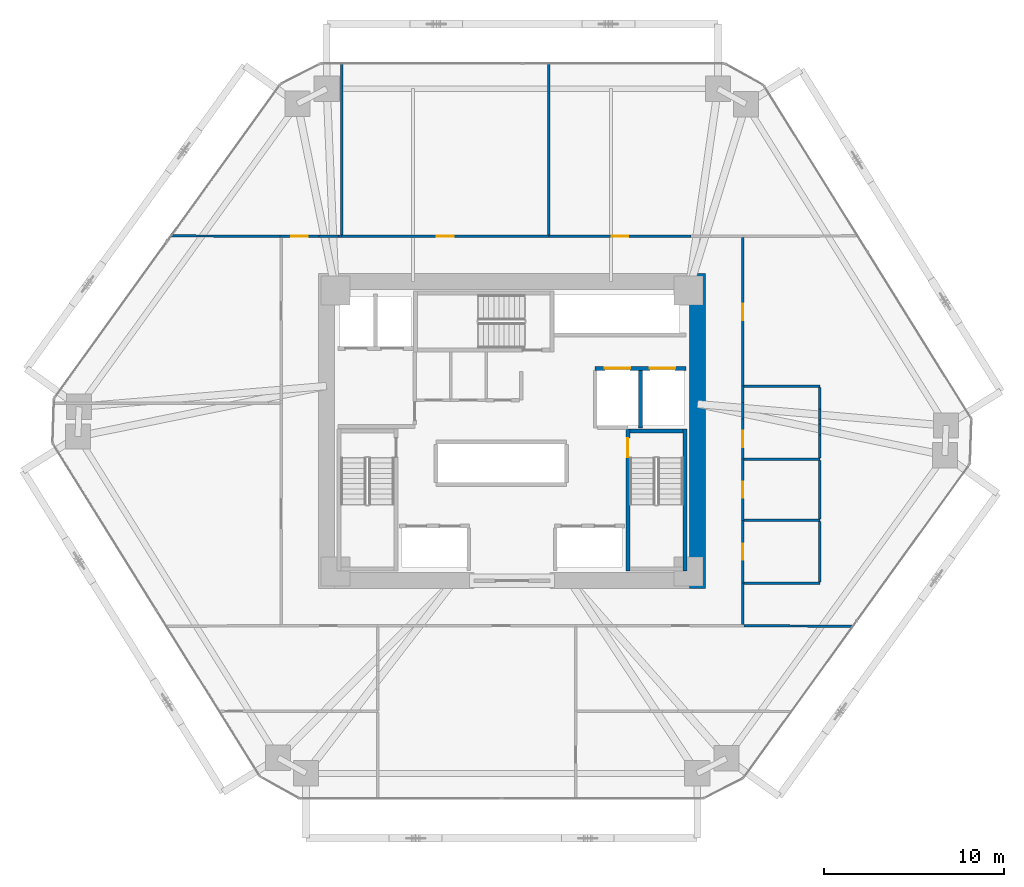
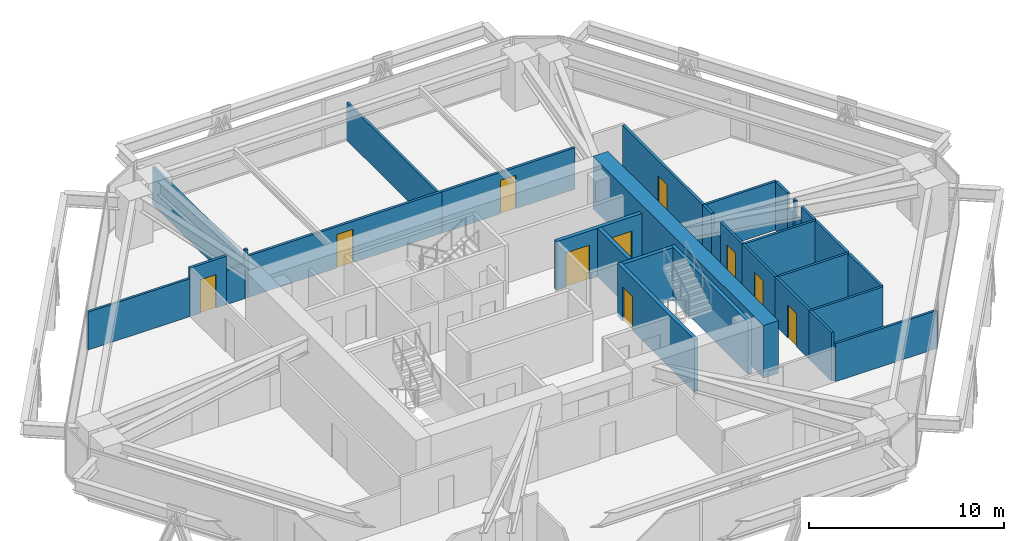
# One storey, part 15 of 17: 33 walls, 10 doors, 10 openings.
"""IFC4 building model written with IfcOpenShell, lengths in metres."""

from ifc_helpers import new_model, si_unit, direction, frame, frame_2d, origin, place, context, subcontext, project, spatial, rectangle, extrude, source, transform, mapped, material, layer, layer_set, type_object, type_shapes, element, fill, save


model = new_model("IFC4")

# Units and contexts
model_context = context("Model", 3, precision=1e-05, world=origin(), true_north=direction((0.0, 1.0)))
body_context = subcontext(model_context, "Body", "Model", "MODEL_VIEW")
ifc_project = project(units=[si_unit("LENGTHUNIT", "METRE"), si_unit("AREAUNIT", "SQUARE_METRE"), si_unit("VOLUMEUNIT", "CUBIC_METRE"), si_unit("PLANEANGLEUNIT", "RADIAN"), si_unit("MASSUNIT", "GRAM", prefix="KILO")], contexts=[model_context])

# Site, building, storey
site_placement = place(None, origin())
site = spatial("IfcSite", under=ifc_project, at=site_placement, CompositionType="ELEMENT")
building_placement = place(site_placement, origin())
building = spatial("IfcBuilding", under=site, at=building_placement, Name="Durnholm Broadcast Tower", CompositionType="ELEMENT")
storey_placement = place(building_placement, frame((0.0, 0.0, 52.199951171875)))
storey = spatial("IfcBuildingStorey", under=building, at=storey_placement, Name="L12", CompositionType="ELEMENT", Elevation=52.199951171875)

# Walls
ifc_material_1 = material(Name="Concrete C70/85", Category="concrete")
ifc_layer_1 = layer(ifc_material_1, 0.89990234375)
ifc_layer_set_1 = layer_set([ifc_layer_1], Name="Concrete C70/85")
wall_type_1 = type_object("IfcWallType", Name="WALL-CW-900", PredefinedType="SHEAR", material=ifc_layer_set_1)
wall_1_placement = place(storey_placement, frame((10.300048828125, -8.75, 0.0), z_axis=(0.0, 0.0, 1.0), x_axis=(0.0, 1.0, 0.0)))
element("IfcWall", 1, at=wall_1_placement, inside=storey, type_object=wall_type_1, Name="L12 central core shear wall CW-EAST", PredefinedType="SHEAR", context=body_context, shape_type="SweptSolid", body=[
    extrude(rectangle(XDim=17.5, YDim=0.89990234375, at=frame_2d((8.75, 0.0))), origin(), (0.0, 0.0, 1.0), 3.300048828125),
])
ifc_material_2 = material(Name="Gypsum Metal Stud Partition", Category="concrete")
ifc_layer_2 = layer(ifc_material_2, 0.135009765625)
ifc_layer_set_2 = layer_set([ifc_layer_2], Name="Gypsum Metal Stud Partition")
wall_type_2 = type_object("IfcWallType", Name="WALL-PART-135", PredefinedType="PARTITIONING", material=ifc_layer_set_2)
wall_2_placement = place(storey_placement, frame((-9.4599609375, 20.39990234375, 0.0), z_axis=(0.0, 0.0, 1.0), x_axis=(0.0, -1.0, 0.0)))
element("IfcWall", 2, at=wall_2_placement, inside=storey, type_object=wall_type_2, Name="L12 room dividing partition 7.8", PredefinedType="PARTITIONING", context=body_context, shape_type="SweptSolid", body=[
    extrude(rectangle(XDim=9.510986328125, YDim=0.135009765625, at=frame_2d((4.75537109375, 0.0))), origin(), (0.0, 0.0, 1.0), 2.380126953125),
])
wall_3_placement = place(storey_placement, frame((-12.889892578125, 10.810302734375, 0.0), z_axis=(0.0, 0.0, 1.0), x_axis=(-0.999992607823, 0.003845035728, 0.0)))
element("IfcWall", 3, at=wall_3_placement, inside=storey, type_object=wall_type_2, Name="L12 room dividing partition 7.16", PredefinedType="PARTITIONING", context=body_context, shape_type="SweptSolid", body=[
    extrude(rectangle(XDim=6.031982421875, YDim=0.135009765625, at=frame_2d((3.01611328125, 0.0))), origin(), (0.0, 0.0, 1.0), 2.380126953125),
])
wall_4_placement = place(storey_placement, frame((2.0400390625, 20.39990234375, 0.0), z_axis=(0.0, 0.0, 1.0), x_axis=(0.0, -1.0, 0.0)))
element("IfcWall", 4, at=wall_4_placement, inside=storey, type_object=wall_type_2, Name="L12 room dividing partition 8.9", PredefinedType="PARTITIONING", context=body_context, shape_type="SweptSolid", body=[
    extrude(rectangle(XDim=9.510986328125, YDim=0.135009765625, at=frame_2d((4.75537109375, 0.0))), origin(), (0.0, 0.0, 1.0), 2.380126953125),
])
wall_5_placement = place(storey_placement, frame((12.889892578125, -10.810302734375, 0.0), z_axis=(0.0, 0.0, 1.0), x_axis=(0.999992607823, -0.003845035728, 0.0)))
element("IfcWall", 5, at=wall_5_placement, inside=storey, type_object=wall_type_2, Name="L12 room dividing partition 14.17", PredefinedType="PARTITIONING", context=body_context, shape_type="SweptSolid", body=[
    extrude(rectangle(XDim=6.031982421875, YDim=0.135009765625, at=frame_2d((3.01611328125, 0.0))), origin(), (0.0, 0.0, 1.0), 2.380126953125),
])
ifc_material_3 = material(Name="Acoustic Gypsum Stud Partition", Category="concrete")
ifc_layer_3 = layer(ifc_material_3, 0.14990234375)
ifc_layer_set_3 = layer_set([ifc_layer_3], Name="Acoustic Gypsum Stud Partition")
wall_type_3 = type_object("IfcWallType", Name="WALL-PART-150", PredefinedType="PARTITIONING", material=ifc_layer_set_3)
wall_6_placement = place(storey_placement, frame((-9.4599609375, 10.81005859375, 0.0), z_axis=(0.0, 0.0, 1.0), x_axis=(-1.0, 0.0, 0.0)))
element("IfcWall", 6, at=wall_6_placement, inside=storey, type_object=wall_type_3, Name="L12 Open Plan Broadcast Workspace 2 corridor partition", PredefinedType="PARTITIONING", context=body_context, shape_type="SweptSolid", body=[
    extrude(rectangle(XDim=0.16748046875, YDim=0.14990234375, at=frame_2d((0.083740234375, 0.0))), origin(), (0.0, 0.0, 1.0), 3.045166015625),
])

# Wall, opening, door
wall_7_placement = place(storey_placement, frame((-10.719970703125, 10.81005859375, 0.0), z_axis=(0.0, 0.0, 1.0), x_axis=(-1.0, 0.0, 0.0)))
wall_7 = element("IfcWall", 7, at=wall_7_placement, inside=storey, type_object=wall_type_3, Name="L12 Open Plan Broadcast Workspace 2 corridor partition", PredefinedType="PARTITIONING", context=body_context, shape_type="SweptSolid", body=[
    extrude(rectangle(XDim=2.169921875, YDim=0.14990234375, at=frame_2d((1.0849609375, 0.0))), origin(), (0.0, 0.0, 1.0), 3.045166015625),
])
opening_1_placement = place(wall_7_placement, frame((0.625, 0.0, 0.0)))
opening_1 = element("IfcOpeningElement", 8, at=opening_1_placement, cuts=wall_7, Name="Opening DR-92L", PredefinedType="OPENING", context=body_context, shape_type="SweptSolid", body=[
    extrude(rectangle(XDim=0.919921875, YDim=2.10009765625, at=frame_2d((0.4599609375, 1.050048828125))), frame((0.0, 0.0849609375, 0.0), z_axis=(0.0, -1.0, 0.0), x_axis=(1.0, 0.0, 0.0)), (0.0, 0.0, 1.0), 0.169921875),
])
ifc_material_4 = material(Name="Oak Veneer Office Door", Category="wood")
ifc_layer_4 = layer(ifc_material_4, 0.050048828125)
ifc_layer_set_4 = layer_set([ifc_layer_4], Name="Oak Veneer Office Door")
door_type_1 = type_object("IfcDoorType", Name="DOOR-RM-920L", OperationType="NOTDEFINED", PredefinedType="DOOR", material=ifc_layer_set_4)
shared_shape_1 = source(origin(), body_context, "Body", "SweptSolid", [
    extrude(rectangle(XDim=0.919921875, YDim=2.10009765625, at=frame_2d((0.4599609375, 1.050048828125))), frame((0.0, 0.02490234375, 0.0), z_axis=(0.0, -1.0, 0.0), x_axis=(1.0, 0.0, 0.0)), (0.0, 0.0, 1.0), 0.050048828125),
])
type_shapes(door_type_1, [shared_shape_1])
door_1_placement = place(opening_1_placement, origin())
door_1 = element("IfcDoor", 9, at=door_1_placement, inside=storey, type_object=door_type_1, Name="L12 Open Plan Broadcast Workspace 2 entrance door", OperationType="SINGLE_SWING_LEFT", OverallHeight=2.10009765625, OverallWidth=0.919921875, PredefinedType="DOOR", context=body_context, shape_type="MappedRepresentation", body=[
    mapped(shared_shape_1, transform((0.0, 0.0, 0.0), x_axis=(1.0, 0.0, 0.0), y_axis=(0.0, 1.0, 0.0), z_axis=(0.0, 0.0, 1.0), scale=1.0)),
])
fill(opening_1, door_1)

# Wall
wall_8_placement = place(storey_placement, frame((-9.62744140625, 10.81005859375, 0.0), z_axis=(0.0, 0.0, 1.0), x_axis=(-1.0, 0.0, 0.0)))
element("IfcWall", 10, at=wall_8_placement, inside=storey, type_object=wall_type_3, Name="L12 Open Plan Broadcast Workspace 2 corridor partition", PredefinedType="PARTITIONING", context=body_context, shape_type="SweptSolid", body=[
    extrude(rectangle(XDim=1.092529296875, YDim=0.14990234375, at=frame_2d((0.54638671875, 0.0))), origin(), (0.0, 0.0, 1.0), 2.130126953125),
])

# Wall, opening, door
wall_9_placement = place(storey_placement, frame((2.0400390625, 10.81005859375, 0.0), z_axis=(0.0, 0.0, 1.0), x_axis=(-1.0, 0.0, 0.0)))
wall_9 = element("IfcWall", 11, at=wall_9_placement, inside=storey, type_object=wall_type_3, Name="L12 Replay Meeting Room corridor partition", PredefinedType="PARTITIONING", context=body_context, shape_type="SweptSolid", body=[
    extrude(rectangle(XDim=11.5, YDim=0.14990234375, at=frame_2d((5.75, 0.0))), origin(), (0.0, 0.0, 1.0), 2.59765625),
])
opening_2_placement = place(wall_9_placement, frame((5.27490234375, 0.0, 0.0)))
opening_2 = element("IfcOpeningElement", 12, at=opening_2_placement, cuts=wall_9, Name="Opening DR-95R", PredefinedType="OPENING", context=body_context, shape_type="SweptSolid", body=[
    extrude(rectangle(XDim=0.949951171875, YDim=2.10009765625, at=frame_2d((0.47509765625, 1.050048828125))), frame((0.0, 0.0849609375, 0.0), z_axis=(0.0, -1.0, 0.0), x_axis=(1.0, 0.0, 0.0)), (0.0, 0.0, 1.0), 0.169921875),
])
ifc_material_5 = material(Name="Acoustic Oak Veneer Timber Door", Category="wood")
ifc_layer_5 = layer(ifc_material_5, 0.050048828125)
ifc_layer_set_5 = layer_set([ifc_layer_5], Name="Acoustic Oak Veneer Timber Door")
door_type_2 = type_object("IfcDoorType", Name="DOOR-RM-950R", OperationType="NOTDEFINED", PredefinedType="DOOR", material=ifc_layer_set_5)
shared_shape_2 = source(origin(), body_context, "Body", "SweptSolid", [
    extrude(rectangle(XDim=0.949951171875, YDim=2.10009765625, at=frame_2d((0.47509765625, 1.050048828125))), frame((0.0, 0.02490234375, 0.0), z_axis=(0.0, -1.0, 0.0), x_axis=(1.0, 0.0, 0.0)), (0.0, 0.0, 1.0), 0.050048828125),
])
type_shapes(door_type_2, [shared_shape_2])
door_2_placement = place(opening_2_placement, origin())
door_2 = element("IfcDoor", 13, at=door_2_placement, inside=storey, type_object=door_type_2, Name="L12 Replay Meeting Room entrance door", OperationType="SINGLE_SWING_RIGHT", OverallHeight=2.10009765625, OverallWidth=0.949951171875, PredefinedType="DOOR", context=body_context, shape_type="MappedRepresentation", body=[
    mapped(shared_shape_2, transform((0.0, 0.0, 0.0), x_axis=(1.0, 0.0, 0.0), y_axis=(0.0, 1.0, 0.0), z_axis=(0.0, 0.0, 1.0), scale=1.0)),
])
fill(opening_2, door_2)

wall_10_placement = place(storey_placement, frame((9.93310546875, 10.81005859375, 0.0), z_axis=(0.0, 0.0, 1.0), x_axis=(-1.0, 0.0, 0.0)))
wall_10 = element("IfcWall", 14, at=wall_10_placement, inside=storey, type_object=wall_type_3, Name="L12 Open Plan Broadcast Workspace 4 corridor partition", PredefinedType="PARTITIONING", context=body_context, shape_type="SweptSolid", body=[
    extrude(rectangle(XDim=7.89306640625, YDim=0.14990234375, at=frame_2d((3.946533203125, 0.0))), origin(), (0.0, 0.0, 1.0), 2.59765625),
])
opening_3_placement = place(wall_10_placement, frame((3.486572265625, 0.0, 0.0)))
opening_3 = element("IfcOpeningElement", 15, at=opening_3_placement, cuts=wall_10, Name="Opening DR-92L", PredefinedType="OPENING", context=body_context, shape_type="SweptSolid", body=[
    extrude(rectangle(XDim=0.919921875, YDim=2.10009765625, at=frame_2d((0.4599609375, 1.050048828125))), frame((0.0, 0.0849609375, 0.0), z_axis=(0.0, -1.0, 0.0), x_axis=(1.0, 0.0, 0.0)), (0.0, 0.0, 1.0), 0.169921875),
])
door_3_placement = place(opening_3_placement, origin())
door_3 = element("IfcDoor", 16, at=door_3_placement, inside=storey, type_object=door_type_1, Name="L12 Open Plan Broadcast Workspace 4 entrance door", OperationType="SINGLE_SWING_LEFT", OverallHeight=2.10009765625, OverallWidth=0.919921875, PredefinedType="DOOR", context=body_context, shape_type="MappedRepresentation", body=[
    mapped(shared_shape_1, transform((0.0, 0.0, 0.0), x_axis=(1.0, 0.0, 0.0), y_axis=(0.0, 1.0, 0.0), z_axis=(0.0, 0.0, 1.0), scale=1.0)),
])
fill(opening_3, door_3)

wall_11_placement = place(storey_placement, frame((12.81005859375, 2.489990234375, 0.0), z_axis=(0.0, 0.0, 1.0), x_axis=(0.0, 1.0, 0.0)))
wall_11 = element("IfcWall", 17, at=wall_11_placement, inside=storey, type_object=wall_type_3, Name="L12 Production Meeting Room corridor partition", PredefinedType="PARTITIONING", context=body_context, shape_type="SweptSolid", body=[
    extrude(rectangle(XDim=8.240966796875, YDim=0.14990234375, at=frame_2d((4.12060546875, 0.0))), origin(), (0.0, 0.0, 1.0), 3.045166015625),
])
opening_4_placement = place(wall_11_placement, frame((3.660400390625, 0.0, 0.0)))
opening_4 = element("IfcOpeningElement", 18, at=opening_4_placement, cuts=wall_11, Name="Opening DR-92R", PredefinedType="OPENING", context=body_context, shape_type="SweptSolid", body=[
    extrude(rectangle(XDim=0.919921875, YDim=2.10009765625, at=frame_2d((0.4599609375, 1.050048828125))), frame((0.0, 0.0849609375, 0.0), z_axis=(0.0, -1.0, 0.0), x_axis=(1.0, 0.0, 0.0)), (0.0, 0.0, 1.0), 0.169921875),
])
ifc_layer_6 = layer(ifc_material_4, 0.050048828125)
ifc_layer_set_6 = layer_set([ifc_layer_6], Name="Oak Veneer Office Door")
door_type_3 = type_object("IfcDoorType", Name="DOOR-RM-920R", OperationType="NOTDEFINED", PredefinedType="DOOR", material=ifc_layer_set_6)
shared_shape_3 = source(origin(), body_context, "Body", "SweptSolid", [
    extrude(rectangle(XDim=0.919921875, YDim=2.10009765625, at=frame_2d((0.4599609375, 1.050048828125))), frame((0.0, 0.02490234375, 0.0), z_axis=(0.0, -1.0, 0.0), x_axis=(1.0, 0.0, 0.0)), (0.0, 0.0, 1.0), 0.050048828125),
])
type_shapes(door_type_3, [shared_shape_3])
door_4_placement = place(opening_4_placement, origin())
door_4 = element("IfcDoor", 19, at=door_4_placement, inside=storey, type_object=door_type_3, Name="L12 Production Meeting Room entrance door", OperationType="SINGLE_SWING_RIGHT", OverallHeight=2.10009765625, OverallWidth=0.919921875, PredefinedType="DOOR", context=body_context, shape_type="MappedRepresentation", body=[
    mapped(shared_shape_3, transform((0.0, 0.0, 0.0), x_axis=(1.0, 0.0, 0.0), y_axis=(0.0, 1.0, 0.0), z_axis=(0.0, 0.0, 1.0), scale=1.0)),
])
fill(opening_4, door_4)

# Wall
wall_12_placement = place(storey_placement, frame((12.81005859375, -10.73095703125, 0.0), z_axis=(0.0, 0.0, 1.0), x_axis=(0.0, 1.0, 0.0)))
element("IfcWall", 20, at=wall_12_placement, inside=storey, type_object=wall_type_3, Name="L12 Production Meeting Room corridor partition", PredefinedType="PARTITIONING", context=body_context, shape_type="SweptSolid", body=[
    extrude(rectangle(XDim=2.291015625, YDim=0.14990234375, at=frame_2d((1.1455078125, 0.0))), origin(), (0.0, 0.0, 1.0), 3.045166015625),
])

# Wall, openings, doors
ifc_material_6 = material(Name="Concrete Blockwork C30/37", Category="masonry")
ifc_layer_7 = layer(ifc_material_6, 0.219970703125)
ifc_layer_set_7 = layer_set([ifc_layer_7], Name="Concrete Blockwork C30/37")
wall_type_4 = type_object("IfcWallType", Name="WALL-SHAFT-220", PredefinedType="SOLIDWALL", material=ifc_layer_set_7)
wall_13_placement = place(storey_placement, frame((4.60009765625, 3.47998046875, 0.0), z_axis=(0.0, 0.0, 1.0), x_axis=(1.0, 0.0, 0.0)))
wall_13 = element("IfcWall", 21, at=wall_13_placement, inside=storey, type_object=wall_type_4, Name="L12 freight service lifts north front wall", PredefinedType="SOLIDWALL", context=body_context, shape_type="SweptSolid", body=[
    extrude(rectangle(XDim=5.0498046875, YDim=0.219970703125, at=frame_2d((2.52490234375, 0.0))), origin(), (0.0, 0.0, 1.0), 3.045166015625),
])
opening_5_placement = place(wall_13_placement, frame((0.550048828125, 0.0, 0.0)))
opening_5 = element("IfcOpeningElement", 22, at=opening_5_placement, cuts=wall_13, Name="Opening LD-SVL-2", PredefinedType="OPENING", context=body_context, shape_type="SweptSolid", body=[
    extrude(rectangle(XDim=1.39990234375, YDim=2.14990234375, at=frame_2d((0.699951171875, 1.074951171875))), frame((0.0, 0.1201171875, 0.0), z_axis=(0.0, -1.0, 0.0), x_axis=(1.0, 0.0, 0.0)), (0.0, 0.0, 1.0), 0.239990234375),
])
opening_6_placement = place(wall_13_placement, frame((3.050048828125, 0.0, 0.0)))
opening_6 = element("IfcOpeningElement", 23, at=opening_6_placement, cuts=wall_13, Name="Opening LD-SVL-1", PredefinedType="OPENING", context=body_context, shape_type="SweptSolid", body=[
    extrude(rectangle(XDim=1.39990234375, YDim=2.14990234375, at=frame_2d((0.699951171875, 1.074951171875))), frame((0.0, 0.1201171875, 0.0), z_axis=(0.0, -1.0, 0.0), x_axis=(1.0, 0.0, 0.0)), (0.0, 0.0, 1.0), 0.239990234375),
])
ifc_material_7 = material(Name="Freight Elevator Bi-Parting Sliding Landing Door", Category="steel")
ifc_layer_8 = layer(ifc_material_7, 0.050048828125)
ifc_layer_set_8 = layer_set([ifc_layer_8], Name="Freight Elevator Bi-Parting Sliding Landing Door")
door_type_4 = type_object("IfcDoorType", Name="DOOR-LIFT-SVL", OperationType="DOUBLE_DOOR_SLIDING", PredefinedType="DOOR", material=ifc_layer_set_8)
shared_shape_4 = source(origin(), body_context, "Body", "SweptSolid", [
    extrude(rectangle(XDim=1.39990234375, YDim=2.14990234375, at=frame_2d((0.699951171875, 1.074951171875))), frame((0.0, 0.02490234375, 0.0), z_axis=(0.0, -1.0, 0.0), x_axis=(1.0, 0.0, 0.0)), (0.0, 0.0, 1.0), 0.050048828125),
])
type_shapes(door_type_4, [shared_shape_4])
door_5_placement = place(opening_5_placement, origin())
door_5 = element("IfcDoor", 24, at=door_5_placement, inside=storey, type_object=door_type_4, Name="L12 freight service elevator SVL-2 sliding landing door", OperationType="DOUBLE_DOOR_SLIDING", OverallHeight=2.14990234375, OverallWidth=1.39990234375, PredefinedType="DOOR", context=body_context, shape_type="MappedRepresentation", body=[
    mapped(shared_shape_4, transform((0.0, 0.0, 0.0), x_axis=(1.0, 0.0, 0.0), y_axis=(0.0, 1.0, 0.0), z_axis=(0.0, 0.0, 1.0), scale=1.0)),
])
fill(opening_5, door_5)
door_6_placement = place(opening_6_placement, origin())
door_6 = element("IfcDoor", 25, at=door_6_placement, inside=storey, type_object=door_type_4, Name="L12 freight service elevator SVL-1 sliding landing door", OperationType="DOUBLE_DOOR_SLIDING", OverallHeight=2.14990234375, OverallWidth=1.39990234375, PredefinedType="DOOR", context=body_context, shape_type="MappedRepresentation", body=[
    mapped(shared_shape_4, transform((0.0, 0.0, 0.0), x_axis=(1.0, 0.0, 0.0), y_axis=(0.0, 1.0, 0.0), z_axis=(0.0, 0.0, 1.0), scale=1.0)),
])
fill(opening_6, door_6)

# Walls
wall_14_placement = place(storey_placement, frame((7.1201171875, 0.179931640625, 0.0), z_axis=(0.0, 0.0, 1.0), x_axis=(0.0, 1.0, 0.0)))
element("IfcWall", 26, at=wall_14_placement, inside=storey, type_object=wall_type_4, Name="L12 freight service lifts divider wall", PredefinedType="SOLIDWALL", context=body_context, shape_type="SweptSolid", body=[
    extrude(rectangle(XDim=3.18603515625, YDim=0.219970703125, at=frame_2d((1.593017578125, 0.0))), origin(), (0.0, 0.0, 1.0), 3.045166015625),
])
ifc_material_8 = material(Name="Concrete C50/60", Category="concrete")
ifc_layer_9 = layer(ifc_material_8, 0.219970703125)
ifc_layer_set_9 = layer_set([ifc_layer_9], Name="Concrete C50/60")
wall_type_5 = type_object("IfcWallType", Name="WALL-SW-220", PredefinedType="SHEAR", material=ifc_layer_set_9)
wall_15_placement = place(storey_placement, frame((9.610107421875, -7.77001953125, -0.239990234375), z_axis=(0.0, 0.0, 1.0), x_axis=(0.0, 1.0, 0.0)))
element("IfcWall", 27, at=wall_15_placement, inside=storey, type_object=wall_type_5, Name="L12 stair ST-2 structural shaft wall E", PredefinedType="SHEAR", context=body_context, shape_type="SweptSolid", body=[
    extrude(rectangle(XDim=7.89013671875, YDim=0.219970703125, at=frame_2d((3.945068359375, 0.0))), origin(), (0.0, 0.0, 1.0), 3.300048828125),
])

# Wall, opening, door
wall_16_placement = place(storey_placement, frame((6.429931640625, 0.1201171875, -0.239990234375), z_axis=(0.0, 0.0, 1.0), x_axis=(0.0, -1.0, 0.0)))
wall_16 = element("IfcWall", 28, at=wall_16_placement, inside=storey, type_object=wall_type_5, Name="L12 stair ST-2 structural shaft wall W", PredefinedType="SHEAR", context=body_context, shape_type="SweptSolid", body=[
    extrude(rectangle(XDim=7.89013671875, YDim=0.219970703125, at=frame_2d((3.945068359375, 0.0))), origin(), (0.0, 0.0, 1.0), 3.300048828125),
])
opening_7_placement = place(wall_16_placement, frame((0.52001953125, 0.0, 0.0)))
opening_7 = element("IfcOpeningElement", 29, at=opening_7_placement, cuts=wall_16, Name="Opening DS-90R", PredefinedType="OPENING", context=body_context, shape_type="SweptSolid", body=[
    extrude(rectangle(XDim=1.050048828125, YDim=2.14990234375, at=frame_2d((0.52490234375, 1.074951171875))), frame((0.0, 0.1201171875, 0.0), z_axis=(0.0, -1.0, 0.0), x_axis=(1.0, 0.0, 0.0)), (0.0, 0.0, 1.0), 0.239990234375),
])
ifc_material_9 = material(Name="Fire-Rated Steel Door", Category="steel")
ifc_layer_10 = layer(ifc_material_9, 0.050048828125)
ifc_layer_set_10 = layer_set([ifc_layer_10], Name="Fire-Rated Steel Door")
door_type_5 = type_object("IfcDoorType", Name="DOOR-ST-FD90-R", OperationType="NOTDEFINED", PredefinedType="DOOR", material=ifc_layer_set_10)
shared_shape_5 = source(origin(), body_context, "Body", "SweptSolid", [
    extrude(rectangle(XDim=1.050048828125, YDim=2.14990234375, at=frame_2d((0.52490234375, 1.074951171875))), frame((0.0, 0.02490234375, 0.0), z_axis=(0.0, -1.0, 0.0), x_axis=(1.0, 0.0, 0.0)), (0.0, 0.0, 1.0), 0.050048828125),
])
type_shapes(door_type_5, [shared_shape_5])
door_7_placement = place(opening_7_placement, origin())
door_7 = element("IfcDoor", 30, at=door_7_placement, inside=storey, type_object=door_type_5, Name="L12 exit stair ST-2 fire door", OperationType="SINGLE_SWING_RIGHT", OverallHeight=2.14990234375, OverallWidth=1.050048828125, PredefinedType="DOOR", context=body_context, shape_type="MappedRepresentation", body=[
    mapped(shared_shape_5, transform((0.0, 0.0, 0.0), x_axis=(1.0, 0.0, 0.0), y_axis=(0.0, 1.0, 0.0), z_axis=(0.0, 0.0, 1.0), scale=1.0)),
])
fill(opening_7, door_7)

# Wall
wall_17_placement = place(storey_placement, frame((9.5, 0.010009765625, -0.239990234375), z_axis=(0.0, 0.0, 1.0), x_axis=(-1.0, 0.0, 0.0)))
element("IfcWall", 31, at=wall_17_placement, inside=storey, type_object=wall_type_5, Name="L12 stair ST-2 structural shaft wall N", PredefinedType="SHEAR", context=body_context, shape_type="SweptSolid", body=[
    extrude(rectangle(XDim=2.9599609375, YDim=0.219970703125, at=frame_2d((1.47998046875, 0.0))), origin(), (0.0, 0.0, 1.0), 3.300048828125),
])

# Wall, opening, door
ifc_material_10 = material(Name="Moisture-Resistant Tile Partition", Category="concrete")
ifc_layer_11 = layer(ifc_material_10, 0.139892578125)
ifc_layer_set_11 = layer_set([ifc_layer_11], Name="Moisture-Resistant Tile Partition")
wall_type_6 = type_object("IfcWallType", Name="WALL-WC-140", PredefinedType="PARTITIONING", material=ifc_layer_set_11)
wall_18_placement = place(storey_placement, frame((12.81005859375, -8.43994140625, 0.0), z_axis=(0.0, 0.0, 1.0), x_axis=(0.0, 1.0, 0.0)))
wall_18 = element("IfcWall", 32, at=wall_18_placement, inside=storey, type_object=wall_type_6, Name="L12 Men's Restroom corridor partition", PredefinedType="PARTITIONING", context=body_context, shape_type="SweptSolid", body=[
    extrude(rectangle(XDim=3.47998046875, YDim=0.139892578125, at=frame_2d((1.739990234375, 0.0))), origin(), (0.0, 0.0, 1.0), 3.045166015625),
])
opening_8_placement = place(wall_18_placement, frame((1.2900390625, 0.0, 0.0)))
opening_8 = element("IfcOpeningElement", 33, at=opening_8_placement, cuts=wall_18, Name="Opening DW-90R", PredefinedType="OPENING", context=body_context, shape_type="SweptSolid", body=[
    extrude(rectangle(XDim=0.89990234375, YDim=2.050048828125, at=frame_2d((0.449951171875, 1.02490234375))), frame((0.0, 0.080078125, 0.0), z_axis=(0.0, -1.0, 0.0), x_axis=(1.0, 0.0, 0.0)), (0.0, 0.0, 1.0), 0.159912109375),
])
ifc_material_11 = material(Name="Laminate Restroom Door", Category="steel")
ifc_layer_12 = layer(ifc_material_11, 0.050048828125)
ifc_layer_set_12 = layer_set([ifc_layer_12], Name="Laminate Restroom Door")
door_type_6 = type_object("IfcDoorType", Name="DOOR-WC-900R", OperationType="NOTDEFINED", PredefinedType="DOOR", material=ifc_layer_set_12)
shared_shape_6 = source(origin(), body_context, "Body", "SweptSolid", [
    extrude(rectangle(XDim=0.89990234375, YDim=2.050048828125, at=frame_2d((0.449951171875, 1.02490234375))), frame((0.0, 0.02490234375, 0.0), z_axis=(0.0, -1.0, 0.0), x_axis=(1.0, 0.0, 0.0)), (0.0, 0.0, 1.0), 0.050048828125),
])
type_shapes(door_type_6, [shared_shape_6])
door_8_placement = place(opening_8_placement, origin())
door_8 = element("IfcDoor", 34, at=door_8_placement, inside=storey, type_object=door_type_6, Name="L12 Men's Restroom entrance door", OperationType="SINGLE_SWING_RIGHT", OverallHeight=2.050048828125, OverallWidth=0.89990234375, PredefinedType="DOOR", context=body_context, shape_type="MappedRepresentation", body=[
    mapped(shared_shape_6, transform((0.0, 0.0, 0.0), x_axis=(1.0, 0.0, 0.0), y_axis=(0.0, 1.0, 0.0), z_axis=(0.0, 0.0, 1.0), scale=1.0)),
])
fill(opening_8, door_8)

wall_19_placement = place(storey_placement, frame((12.81005859375, -4.9599609375, 0.0), z_axis=(0.0, 0.0, 1.0), x_axis=(0.0, 1.0, 0.0)))
wall_19 = element("IfcWall", 35, at=wall_19_placement, inside=storey, type_object=wall_type_6, Name="L12 Women's Restroom corridor partition", PredefinedType="PARTITIONING", context=body_context, shape_type="SweptSolid", body=[
    extrude(rectangle(XDim=3.39990234375, YDim=0.139892578125, at=frame_2d((1.699951171875, 0.0))), origin(), (0.0, 0.0, 1.0), 3.045166015625),
])
opening_9_placement = place(wall_19_placement, frame((1.25, 0.0, 0.0)))
opening_9 = element("IfcOpeningElement", 36, at=opening_9_placement, cuts=wall_19, Name="Opening DW-90L", PredefinedType="OPENING", context=body_context, shape_type="SweptSolid", body=[
    extrude(rectangle(XDim=0.89990234375, YDim=2.050048828125, at=frame_2d((0.449951171875, 1.02490234375))), frame((0.0, 0.080078125, 0.0), z_axis=(0.0, -1.0, 0.0), x_axis=(1.0, 0.0, 0.0)), (0.0, 0.0, 1.0), 0.159912109375),
])
ifc_layer_13 = layer(ifc_material_11, 0.050048828125)
ifc_layer_set_13 = layer_set([ifc_layer_13], Name="Laminate Restroom Door")
door_type_7 = type_object("IfcDoorType", Name="DOOR-WC-900L", OperationType="NOTDEFINED", PredefinedType="DOOR", material=ifc_layer_set_13)
shared_shape_7 = source(origin(), body_context, "Body", "SweptSolid", [
    extrude(rectangle(XDim=0.89990234375, YDim=2.050048828125, at=frame_2d((0.449951171875, 1.02490234375))), frame((0.0, 0.02490234375, 0.0), z_axis=(0.0, -1.0, 0.0), x_axis=(1.0, 0.0, 0.0)), (0.0, 0.0, 1.0), 0.050048828125),
])
type_shapes(door_type_7, [shared_shape_7])
door_9_placement = place(opening_9_placement, origin())
door_9 = element("IfcDoor", 37, at=door_9_placement, inside=storey, type_object=door_type_7, Name="L12 Women's Restroom entrance door", OperationType="SINGLE_SWING_LEFT", OverallHeight=2.050048828125, OverallWidth=0.89990234375, PredefinedType="DOOR", context=body_context, shape_type="MappedRepresentation", body=[
    mapped(shared_shape_7, transform((0.0, 0.0, 0.0), x_axis=(1.0, 0.0, 0.0), y_axis=(0.0, 1.0, 0.0), z_axis=(0.0, 0.0, 1.0), scale=1.0)),
])
fill(opening_9, door_9)

wall_20_placement = place(storey_placement, frame((12.81005859375, -1.56005859375, 0.0), z_axis=(0.0, 0.0, 1.0), x_axis=(0.0, 1.0, 0.0)))
wall_20 = element("IfcWall", 38, at=wall_20_placement, inside=storey, type_object=wall_type_6, Name="L12 Accessible Restroom corridor partition", PredefinedType="PARTITIONING", context=body_context, shape_type="SweptSolid", body=[
    extrude(rectangle(XDim=2.231201171875, YDim=0.139892578125, at=frame_2d((1.11572265625, 0.0))), origin(), (0.0, 0.0, 1.0), 3.045166015625),
])
opening_10_placement = place(wall_20_placement, frame((0.66552734375, 0.0, 0.0)))
opening_10 = element("IfcOpeningElement", 39, at=opening_10_placement, cuts=wall_20, Name="Opening DW-90R", PredefinedType="OPENING", context=body_context, shape_type="SweptSolid", body=[
    extrude(rectangle(XDim=0.89990234375, YDim=2.050048828125, at=frame_2d((0.449951171875, 1.02490234375))), frame((0.0, 0.080078125, 0.0), z_axis=(0.0, -1.0, 0.0), x_axis=(1.0, 0.0, 0.0)), (0.0, 0.0, 1.0), 0.159912109375),
])
door_10_placement = place(opening_10_placement, origin())
door_10 = element("IfcDoor", 40, at=door_10_placement, inside=storey, type_object=door_type_6, Name="L12 Accessible Restroom entrance door", OperationType="SINGLE_SWING_RIGHT", OverallHeight=2.050048828125, OverallWidth=0.89990234375, PredefinedType="DOOR", context=body_context, shape_type="MappedRepresentation", body=[
    mapped(shared_shape_6, transform((0.0, 0.0, 0.0), x_axis=(1.0, 0.0, 0.0), y_axis=(0.0, 1.0, 0.0), z_axis=(0.0, 0.0, 1.0), scale=1.0)),
])
fill(opening_10, door_10)

# Walls
wall_21_placement = place(storey_placement, frame((12.81005859375, 1.584716796875, 0.0), z_axis=(0.0, 0.0, 1.0), x_axis=(0.0, 1.0, 0.0)))
element("IfcWall", 41, at=wall_21_placement, inside=storey, type_object=wall_type_6, Name="L12 Accessible Restroom corridor partition", PredefinedType="PARTITIONING", context=body_context, shape_type="SweptSolid", body=[
    extrude(rectangle(XDim=0.9052734375, YDim=0.139892578125, at=frame_2d((0.45263671875, 0.0))), origin(), (0.0, 0.0, 1.0), 3.045166015625),
])
wall_22_placement = place(storey_placement, frame((12.81005859375, 0.671142578125, 0.0), z_axis=(0.0, 0.0, 1.0), x_axis=(0.0, 1.0, 0.0)))
element("IfcWall", 42, at=wall_22_placement, inside=storey, type_object=wall_type_6, Name="L12 Accessible Restroom corridor partition", PredefinedType="PARTITIONING", context=body_context, shape_type="SweptSolid", body=[
    extrude(rectangle(XDim=0.91357421875, YDim=0.139892578125, at=frame_2d((0.456787109375, 0.0))), origin(), (0.0, 0.0, 1.0), 2.130126953125),
])
wall_23_placement = place(storey_placement, frame((12.884033203125, -4.9599609375, 0.0), z_axis=(0.0, 0.0, 1.0), x_axis=(1.0, 0.0, 0.0)))
element("IfcWall", 43, at=wall_23_placement, inside=storey, type_object=wall_type_6, Name="L12 room dividing partition 4.5", PredefinedType="PARTITIONING", context=body_context, shape_type="SweptSolid", body=[
    extrude(rectangle(XDim=4.2060546875, YDim=0.139892578125, at=frame_2d((2.10302734375, 0.0))), origin(), (0.0, 0.0, 1.0), 3.045166015625),
])
wall_24_placement = place(storey_placement, frame((17.090087890625, -8.43994140625, 0.0), z_axis=(0.0, 0.0, 1.0), x_axis=(-1.0, 0.0, 0.0)))
element("IfcWall", 44, at=wall_24_placement, inside=storey, type_object=wall_type_6, Name="L12 room dividing partition 4.17", PredefinedType="PARTITIONING", context=body_context, shape_type="SweptSolid", body=[
    extrude(rectangle(XDim=4.201171875, YDim=0.139892578125, at=frame_2d((2.1005859375, 0.0))), origin(), (0.0, 0.0, 1.0), 3.045166015625),
])
wall_25_placement = place(storey_placement, frame((17.090087890625, -5.033935546875, 0.0), z_axis=(0.0, 0.0, 1.0), x_axis=(0.0, -1.0, 0.0)))
element("IfcWall", 45, at=wall_25_placement, inside=storey, type_object=wall_type_6, Name="L12 room dividing partition 4.17", PredefinedType="PARTITIONING", context=body_context, shape_type="SweptSolid", body=[
    extrude(rectangle(XDim=3.33203125, YDim=0.139892578125, at=frame_2d((1.666015625, 0.0))), origin(), (0.0, 0.0, 1.0), 3.045166015625),
])
wall_26_placement = place(storey_placement, frame((12.884033203125, -1.56005859375, 0.0), z_axis=(0.0, 0.0, 1.0), x_axis=(1.0, 0.0, 0.0)))
element("IfcWall", 46, at=wall_26_placement, inside=storey, type_object=wall_type_6, Name="L12 room dividing partition 5.6", PredefinedType="PARTITIONING", context=body_context, shape_type="SweptSolid", body=[
    extrude(rectangle(XDim=4.2060546875, YDim=0.139892578125, at=frame_2d((2.10302734375, 0.0))), origin(), (0.0, 0.0, 1.0), 3.045166015625),
])
wall_27_placement = place(storey_placement, frame((17.090087890625, -1.634033203125, 0.0), z_axis=(0.0, 0.0, 1.0), x_axis=(0.0, -1.0, 0.0)))
element("IfcWall", 47, at=wall_27_placement, inside=storey, type_object=wall_type_6, Name="L12 room dividing partition 5.17", PredefinedType="PARTITIONING", context=body_context, shape_type="SweptSolid", body=[
    extrude(rectangle(XDim=3.251953125, YDim=0.139892578125, at=frame_2d((1.6259765625, 0.0))), origin(), (0.0, 0.0, 1.0), 3.045166015625),
])
wall_28_placement = place(storey_placement, frame((12.888916015625, 2.489990234375, 0.0), z_axis=(0.0, 0.0, 1.0), x_axis=(1.0, 0.0, 0.0)))
element("IfcWall", 48, at=wall_28_placement, inside=storey, type_object=wall_type_6, Name="L12 room dividing partition 6.17", PredefinedType="PARTITIONING", context=body_context, shape_type="SweptSolid", body=[
    extrude(rectangle(XDim=4.201171875, YDim=0.139892578125, at=frame_2d((2.1005859375, 0.0))), origin(), (0.0, 0.0, 1.0), 3.045166015625),
])
wall_29_placement = place(storey_placement, frame((17.090087890625, 2.416015625, 0.0), z_axis=(0.0, 0.0, 1.0), x_axis=(0.0, -1.0, 0.0)))
element("IfcWall", 49, at=wall_29_placement, inside=storey, type_object=wall_type_6, Name="L12 room dividing partition 6.17", PredefinedType="PARTITIONING", context=body_context, shape_type="SweptSolid", body=[
    extrude(rectangle(XDim=1.203857421875, YDim=0.139892578125, at=frame_2d((0.60205078125, 0.0))), origin(), (0.0, 0.0, 1.0), 3.045166015625),
])
wall_30_placement = place(storey_placement, frame((17.090087890625, 0.60595703125, 0.0), z_axis=(0.0, 0.0, 1.0), x_axis=(0.0, -1.0, 0.0)))
element("IfcWall", 50, at=wall_30_placement, inside=storey, type_object=wall_type_6, Name="L12 room dividing partition 6.17", PredefinedType="PARTITIONING", context=body_context, shape_type="SweptSolid", body=[
    extrude(rectangle(XDim=0.205078125, YDim=0.139892578125, at=frame_2d((0.1025390625, 0.0))), origin(), (0.0, 0.0, 1.0), 3.045166015625),
])
wall_31_placement = place(storey_placement, frame((17.090087890625, -0.216064453125, 0.0), z_axis=(0.0, 0.0, 1.0), x_axis=(0.0, -1.0, 0.0)))
element("IfcWall", 51, at=wall_31_placement, inside=storey, type_object=wall_type_6, Name="L12 room dividing partition 6.17", PredefinedType="PARTITIONING", context=body_context, shape_type="SweptSolid", body=[
    extrude(rectangle(XDim=1.27001953125, YDim=0.139892578125, at=frame_2d((0.635009765625, 0.0))), origin(), (0.0, 0.0, 1.0), 3.045166015625),
])
wall_32_placement = place(storey_placement, frame((17.090087890625, 1.212158203125, 0.0), z_axis=(0.0, 0.0, 1.0), x_axis=(0.0, -1.0, 0.0)))
element("IfcWall", 52, at=wall_32_placement, inside=storey, type_object=wall_type_6, Name="L12 room dividing partition 6.17", PredefinedType="PARTITIONING", context=body_context, shape_type="SweptSolid", body=[
    extrude(rectangle(XDim=0.606201171875, YDim=0.139892578125, at=frame_2d((0.30322265625, 0.0))), origin(), (0.0, 0.0, 1.0), 2.130126953125),
])
wall_33_placement = place(storey_placement, frame((17.090087890625, 0.40087890625, 0.0), z_axis=(0.0, 0.0, 1.0), x_axis=(0.0, -1.0, 0.0)))
element("IfcWall", 53, at=wall_33_placement, inside=storey, type_object=wall_type_6, Name="L12 room dividing partition 6.17", PredefinedType="PARTITIONING", context=body_context, shape_type="SweptSolid", body=[
    extrude(rectangle(XDim=0.616943359375, YDim=0.139892578125, at=frame_2d((0.30859375, 0.0))), origin(), (0.0, 0.0, 1.0), 2.130126953125),
])

save(model, "model.ifc")
